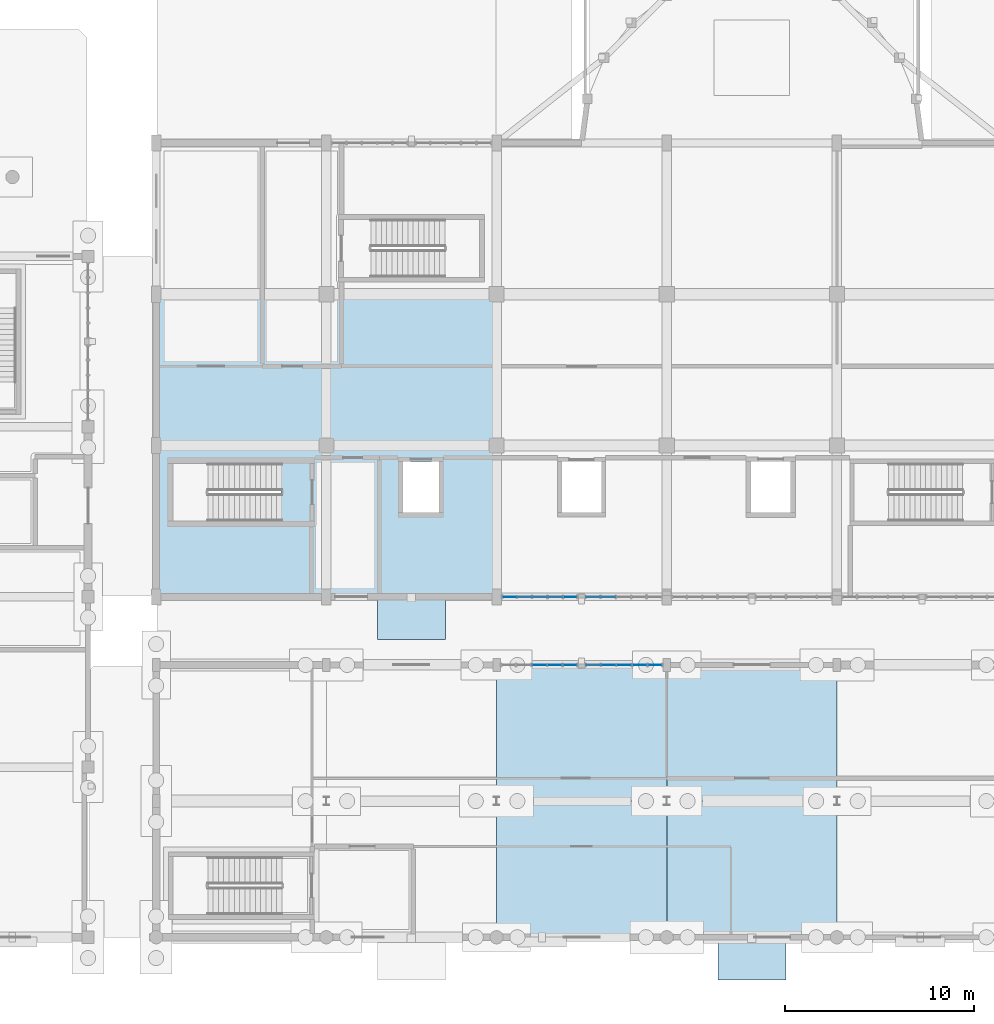
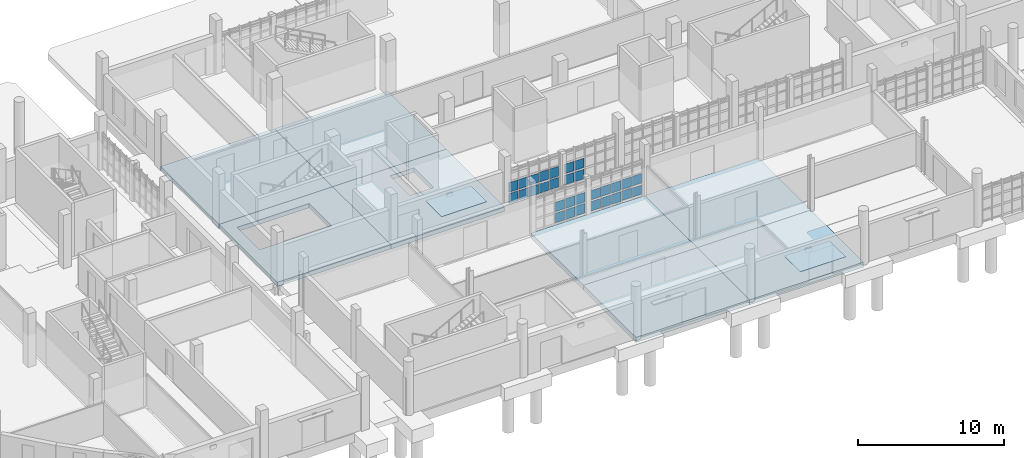
# One storey, part 30 of 63: 32 plates, 8 slabs, 4 elements without a shape of their own.
"""IFC4 building model written with IfcOpenShell, lengths in metres."""

from ifc_helpers import new_model, si_unit, direction, frame, origin, origin_2d, place, context, subcontext, project, spatial, polyline, rectangle, outline, extrude, material, layer, layer_set, type_object, element, aggregate, save


model = new_model("IFC4")

# Units and contexts
model_context = context("Model", 3, precision=1e-05, world=origin(), true_north=direction((0.0, 1.0)))
body_context = subcontext(model_context, "Body", "Model", "MODEL_VIEW")
ifc_project = project(units=[si_unit("LENGTHUNIT", "METRE"), si_unit("AREAUNIT", "SQUARE_METRE"), si_unit("VOLUMEUNIT", "CUBIC_METRE"), si_unit("PLANEANGLEUNIT", "RADIAN"), si_unit("MASSUNIT", "GRAM", prefix="KILO")], contexts=[model_context])

# Site, building, storey
site_placement = place(None, origin())
site = spatial("IfcSite", under=ifc_project, at=site_placement, CompositionType="ELEMENT")
building_placement = place(site_placement, origin())
building = spatial("IfcBuilding", under=site, at=building_placement, Name="Serraforn Aerial Cableway Station", CompositionType="ELEMENT")
storey_placement = place(building_placement, origin())
storey = spatial("IfcBuildingStorey", under=building, at=storey_placement, Name="L00", CompositionType="ELEMENT", Elevation=0.0)

# Plates
ifc_material_1 = material(Name="Patinated bronze entrance canopy soffit")
ifc_layer_1 = layer(ifc_material_1, 0.035888671875)
ifc_layer_set_1 = layer_set([ifc_layer_1], Name="Patinated bronze entrance canopy soffit")
plate_type_1 = type_object("IfcPlateType", Name="CAN-BRONZE", PredefinedType="USERDEFINED", material=ifc_layer_set_1)
for number, where, z_axis, x_axis, name in (
    (1, (59.10009765625, -1.159912109375, 2.73193359375), (0.0, 0.0, 1.0), (1.0, 0.0, 0.0), "Bronze Art Deco Entrance Canopy 03"),
    (2, (41.10009765625, 16.840087890625, 2.73193359375), (0.0, 0.0, 1.0), (1.0, 0.0, 0.0), "Bronze Art Deco Entrance Canopy 04"),
):
    element("IfcPlate", number, at=place(storey_placement, frame(where, z_axis=z_axis, x_axis=x_axis)), inside=storey, type_object=plate_type_1, Name=name, ObjectType="CANOPY PANEL", PredefinedType="USERDEFINED", context=body_context, shape_type="SweptSolid", body=[
        extrude(rectangle(XDim=3.60009765625, YDim=2.199951171875, at=origin_2d()), origin(), (0.0, 0.0, 1.0), 0.035888671875),
    ])

# Curtain wall, plates
ifc_material_2 = material(Name="Anodised bronze unitised curtain wall")
curtain_wall_type_1 = type_object("IfcCurtainWallType", Name="CW-SYS-19", PredefinedType="USERDEFINED", material=ifc_material_2)
curtain_wall_1_placement = place(storey_placement, origin())
curtain_wall_1 = element("IfcCurtainWall", 3, at=curtain_wall_1_placement, inside=storey, type_object=curtain_wall_type_1, Name="Unitised Curtain Wall CW-CF-L00-N3A", ObjectType="UNITISED CURTAIN WALL", PredefinedType="USERDEFINED")
ifc_material_3 = material(Name="Solar-control low-E double glazing", Category="glass")
ifc_layer_2 = layer(ifc_material_3, 0.02587890625)
ifc_layer_set_2 = layer_set([ifc_layer_2], Name="Solar-control low-E double glazing")
plate_type_2 = type_object("IfcPlateType", Name="CW-GLZ-1", PredefinedType="CURTAIN_PANEL", material=ifc_layer_set_2)
plate_1_placement = place(storey_placement, frame((53.974853515625, 14.39990234375, 1.14111328125), z_axis=(0.0, 0.0, 1.0), x_axis=(1.0, 0.0, 0.0)))
plate_1 = element("IfcPlate", 4, at=plate_1_placement, type_object=plate_type_2, Name="Curtain Wall Panel CW-CF-L00-N3A-P1-2", PredefinedType="CURTAIN_PANEL", context=body_context, shape_type="SweptSolid", body=[
    extrude(rectangle(XDim=0.728515625, YDim=0.02587890625, at=origin_2d()), origin(), (0.0, 0.0, 1.0), 0.802490234375),
])
plate_2_placement = place(storey_placement, frame((53.166748046875, 14.39990234375, 0.20556640625), z_axis=(0.0, 0.0, 1.0), x_axis=(1.0, 0.0, 0.0)))
plate_2 = element("IfcPlate", 5, at=plate_2_placement, type_object=plate_type_2, Name="Curtain Wall Panel CW-CF-L00-N3A-P2-1", PredefinedType="CURTAIN_PANEL", context=body_context, shape_type="SweptSolid", body=[
    extrude(rectangle(XDim=0.755859375, YDim=0.02587890625, at=origin_2d()), origin(), (0.0, 0.0, 1.0), 0.802490234375),
])

# Curtain wall, plate
curtain_wall_type_2 = type_object("IfcCurtainWallType", Name="CW-SYS-20", PredefinedType="USERDEFINED", material=ifc_material_2)
curtain_wall_2_placement = place(storey_placement, origin())
curtain_wall_2 = element("IfcCurtainWall", 6, at=curtain_wall_2_placement, inside=storey, type_object=curtain_wall_type_2, Name="Unitised Curtain Wall CW-CF-L00-N3B", ObjectType="UNITISED CURTAIN WALL", PredefinedType="USERDEFINED")
plate_3_placement = place(storey_placement, frame((49.49169921875, 14.39990234375, 0.20556640625), z_axis=(0.0, 0.0, 1.0), x_axis=(1.0, 0.0, 0.0)))
plate_3 = element("IfcPlate", 7, at=plate_3_placement, type_object=plate_type_2, Name="Curtain Wall Panel CW-CF-L00-N3B-P1-1", PredefinedType="CURTAIN_PANEL", context=body_context, shape_type="SweptSolid", body=[
    extrude(rectangle(XDim=0.720947265625, YDim=0.02587890625, at=origin_2d()), origin(), (0.0, 0.0, 1.0), 0.802490234375),
])

curtain_wall_type_3 = type_object("IfcCurtainWallType", Name="CW-SYS-3", PredefinedType="USERDEFINED", material=ifc_material_2)
curtain_wall_3_placement = place(storey_placement, origin())
curtain_wall_3 = element("IfcCurtainWall", 8, at=curtain_wall_3_placement, inside=storey, type_object=curtain_wall_type_3, Name="Unitised Curtain Wall CW-CV-L00-S3A", ObjectType="UNITISED CURTAIN WALL", PredefinedType="USERDEFINED")
plate_4_placement = place(storey_placement, frame((49.492919921875, 18.0, 1.11376953125), z_axis=(0.0, 0.0, 1.0), x_axis=(1.0, 0.0, 0.0)))
plate_4 = element("IfcPlate", 9, at=plate_4_placement, type_object=plate_type_2, Name="Curtain Wall Panel CW-CV-L00-S3A-P5-2", PredefinedType="CURTAIN_PANEL", context=body_context, shape_type="SweptSolid", body=[
    extrude(rectangle(XDim=0.70849609375, YDim=0.02587890625, at=origin_2d()), origin(), (0.0, 0.0, 1.0), 0.824951171875),
])

# Plate
ifc_layer_3 = layer(ifc_material_3, 0.028076171875)
ifc_layer_set_3 = layer_set([ifc_layer_3], Name="Solar-control low-E double glazing")
plate_type_3 = type_object("IfcPlateType", Name="CW-GLZ-2", PredefinedType="CURTAIN_PANEL", material=ifc_layer_set_3)
plate_5_placement = place(storey_placement, frame((53.166748046875, 14.39990234375, 1.11376953125), z_axis=(0.0, 0.0, 1.0), x_axis=(1.0, 0.0, 0.0)))
plate_5 = element("IfcPlate", 10, at=plate_5_placement, type_object=plate_type_3, Name="Curtain Wall Panel CW-CF-L00-N3A-P2-2", PredefinedType="CURTAIN_PANEL", context=body_context, shape_type="SweptSolid", body=[
    extrude(rectangle(XDim=0.755859375, YDim=0.028076171875, at=origin_2d()), origin(), (0.0, 0.0, 1.0), 0.824951171875),
])

plate_6_placement = place(storey_placement, frame((52.3359375, 14.39990234375, 0.177734375), z_axis=(0.0, 0.0, 1.0), x_axis=(1.0, 0.0, 0.0)))
plate_6 = element("IfcPlate", 11, at=plate_6_placement, type_object=plate_type_3, Name="Curtain Wall Panel CW-CF-L00-N3A-P3-1", PredefinedType="CURTAIN_PANEL", context=body_context, shape_type="SweptSolid", body=[
    extrude(rectangle(XDim=0.763427734375, YDim=0.028076171875, at=origin_2d()), origin(), (0.0, 0.0, 1.0), 0.824951171875),
])

plate_7_placement = place(storey_placement, frame((49.49169921875, 14.39990234375, 1.11376953125), z_axis=(0.0, 0.0, 1.0), x_axis=(1.0, 0.0, 0.0)))
plate_7 = element("IfcPlate", 12, at=plate_7_placement, type_object=plate_type_3, Name="Curtain Wall Panel CW-CF-L00-N3B-P1-2", PredefinedType="CURTAIN_PANEL", context=body_context, shape_type="SweptSolid", body=[
    extrude(rectangle(XDim=0.720947265625, YDim=0.028076171875, at=origin_2d()), origin(), (0.0, 0.0, 1.0), 0.824951171875),
])

plate_8_placement = place(storey_placement, frame((48.678466796875, 14.39990234375, 0.177734375), z_axis=(0.0, 0.0, 1.0), x_axis=(1.0, 0.0, 0.0)))
plate_8 = element("IfcPlate", 13, at=plate_8_placement, type_object=plate_type_3, Name="Curtain Wall Panel CW-CF-L00-N3B-P2-1", PredefinedType="CURTAIN_PANEL", context=body_context, shape_type="SweptSolid", body=[
    extrude(rectangle(XDim=0.763427734375, YDim=0.028076171875, at=origin_2d()), origin(), (0.0, 0.0, 1.0), 0.824951171875),
])

ifc_layer_4 = layer(ifc_material_3, 0.030029296875)
ifc_layer_set_4 = layer_set([ifc_layer_4], Name="Solar-control low-E double glazing")
plate_type_4 = type_object("IfcPlateType", Name="CW-GLZ-3", PredefinedType="CURTAIN_PANEL", material=ifc_layer_set_4)
plate_9_placement = place(storey_placement, frame((52.3359375, 14.39990234375, 1.118896484375), z_axis=(0.0, 0.0, 1.0), x_axis=(1.0, 0.0, 0.0)))
plate_9 = element("IfcPlate", 14, at=plate_9_placement, type_object=plate_type_4, Name="Curtain Wall Panel CW-CF-L00-N3A-P3-2", PredefinedType="CURTAIN_PANEL", context=body_context, shape_type="SweptSolid", body=[
    extrude(rectangle(XDim=0.763427734375, YDim=0.030029296875, at=origin_2d()), origin(), (0.0, 0.0, 1.0), 0.8125),
])

plate_10_placement = place(storey_placement, frame((51.517822265625, 14.39990234375, 0.182861328125), z_axis=(0.0, 0.0, 1.0), x_axis=(1.0, 0.0, 0.0)))
plate_10 = element("IfcPlate", 15, at=plate_10_placement, type_object=plate_type_4, Name="Curtain Wall Panel CW-CF-L00-N3A-P4-1", PredefinedType="CURTAIN_PANEL", context=body_context, shape_type="SweptSolid", body=[
    extrude(rectangle(XDim=0.77099609375, YDim=0.030029296875, at=origin_2d()), origin(), (0.0, 0.0, 1.0), 0.8125),
])

plate_11_placement = place(storey_placement, frame((48.678466796875, 14.39990234375, 1.118896484375), z_axis=(0.0, 0.0, 1.0), x_axis=(1.0, 0.0, 0.0)))
plate_11 = element("IfcPlate", 16, at=plate_11_placement, type_object=plate_type_4, Name="Curtain Wall Panel CW-CF-L00-N3B-P2-2", PredefinedType="CURTAIN_PANEL", context=body_context, shape_type="SweptSolid", body=[
    extrude(rectangle(XDim=0.763427734375, YDim=0.030029296875, at=origin_2d()), origin(), (0.0, 0.0, 1.0), 0.8125),
])

plate_12_placement = place(storey_placement, frame((47.8603515625, 14.39990234375, 0.182861328125), z_axis=(0.0, 0.0, 1.0), x_axis=(1.0, 0.0, 0.0)))
plate_12 = element("IfcPlate", 17, at=plate_12_placement, type_object=plate_type_4, Name="Curtain Wall Panel CW-CF-L00-N3B-P3-1", PredefinedType="CURTAIN_PANEL", context=body_context, shape_type="SweptSolid", body=[
    extrude(rectangle(XDim=0.77099609375, YDim=0.030029296875, at=origin_2d()), origin(), (0.0, 0.0, 1.0), 0.8125),
])

ifc_layer_5 = layer(ifc_material_3, 0.031982421875)
ifc_layer_set_5 = layer_set([ifc_layer_5], Name="Solar-control low-E double glazing")
plate_type_5 = type_object("IfcPlateType", Name="CW-GLZ-4", PredefinedType="CURTAIN_PANEL", material=ifc_layer_set_5)
plate_13_placement = place(storey_placement, frame((51.517822265625, 14.39990234375, 1.1259765625), z_axis=(0.0, 0.0, 1.0), x_axis=(1.0, 0.0, 0.0)))
plate_13 = element("IfcPlate", 18, at=plate_13_placement, type_object=plate_type_5, Name="Curtain Wall Panel CW-CF-L00-N3A-P4-2", PredefinedType="CURTAIN_PANEL", context=body_context, shape_type="SweptSolid", body=[
    extrude(rectangle(XDim=0.77099609375, YDim=0.031982421875, at=origin_2d()), origin(), (0.0, 0.0, 1.0), 0.797607421875),
])

plate_14_placement = place(storey_placement, frame((50.709716796875, 14.39990234375, 0.1904296875), z_axis=(0.0, 0.0, 1.0), x_axis=(1.0, 0.0, 0.0)))
plate_14 = element("IfcPlate", 19, at=plate_14_placement, type_object=plate_type_5, Name="Curtain Wall Panel CW-CF-L00-N3A-P5-1", PredefinedType="CURTAIN_PANEL", context=body_context, shape_type="SweptSolid", body=[
    extrude(rectangle(XDim=0.7333984375, YDim=0.031982421875, at=origin_2d()), origin(), (0.0, 0.0, 1.0), 0.797607421875),
])

plate_15_placement = place(storey_placement, frame((47.8603515625, 14.39990234375, 1.1259765625), z_axis=(0.0, 0.0, 1.0), x_axis=(1.0, 0.0, 0.0)))
plate_15 = element("IfcPlate", 20, at=plate_15_placement, type_object=plate_type_5, Name="Curtain Wall Panel CW-CF-L00-N3B-P3-2", PredefinedType="CURTAIN_PANEL", context=body_context, shape_type="SweptSolid", body=[
    extrude(rectangle(XDim=0.77099609375, YDim=0.031982421875, at=origin_2d()), origin(), (0.0, 0.0, 1.0), 0.797607421875),
])

aggregate(curtain_wall_2, [plate_3, plate_7, plate_8, plate_11, plate_12, plate_15])

plate_16_placement = place(storey_placement, frame((46.279052734375, 18.0, 0.177734375), z_axis=(0.0, 0.0, 1.0), x_axis=(1.0, 0.0, 0.0)))
plate_16 = element("IfcPlate", 21, at=plate_16_placement, type_object=plate_type_5, Name="Curtain Wall Panel CW-CV-L00-S3A-P1-1", PredefinedType="CURTAIN_PANEL", context=body_context, shape_type="SweptSolid", body=[
    extrude(rectangle(XDim=0.7158203125, YDim=0.031982421875, at=origin_2d()), origin(), (0.0, 0.0, 1.0), 0.824951171875),
])

ifc_layer_6 = layer(ifc_material_3, 0.033935546875)
ifc_layer_set_6 = layer_set([ifc_layer_6], Name="Solar-control low-E double glazing")
plate_type_6 = type_object("IfcPlateType", Name="CW-GLZ-5", PredefinedType="CURTAIN_PANEL", material=ifc_layer_set_6)
plate_17_placement = place(storey_placement, frame((50.709716796875, 14.39990234375, 1.1337890625), z_axis=(0.0, 0.0, 1.0), x_axis=(1.0, 0.0, 0.0)))
plate_17 = element("IfcPlate", 22, at=plate_17_placement, type_object=plate_type_6, Name="Curtain Wall Panel CW-CF-L00-N3A-P5-2", PredefinedType="CURTAIN_PANEL", context=body_context, shape_type="SweptSolid", body=[
    extrude(rectangle(XDim=0.7333984375, YDim=0.033935546875, at=origin_2d()), origin(), (0.0, 0.0, 1.0), 0.782470703125),
])

plate_18_placement = place(storey_placement, frame((46.279052734375, 18.0, 1.118896484375), z_axis=(0.0, 0.0, 1.0), x_axis=(1.0, 0.0, 0.0)))
plate_18 = element("IfcPlate", 23, at=plate_18_placement, type_object=plate_type_6, Name="Curtain Wall Panel CW-CV-L00-S3A-P1-2", PredefinedType="CURTAIN_PANEL", context=body_context, shape_type="SweptSolid", body=[
    extrude(rectangle(XDim=0.7158203125, YDim=0.033935546875, at=origin_2d()), origin(), (0.0, 0.0, 1.0), 0.8125),
])

plate_19_placement = place(storey_placement, frame((47.068359375, 18.0, 0.182861328125), z_axis=(0.0, 0.0, 1.0), x_axis=(1.0, 0.0, 0.0)))
plate_19 = element("IfcPlate", 24, at=plate_19_placement, type_object=plate_type_6, Name="Curtain Wall Panel CW-CV-L00-S3A-P2-1", PredefinedType="CURTAIN_PANEL", context=body_context, shape_type="SweptSolid", body=[
    extrude(rectangle(XDim=0.760986328125, YDim=0.033935546875, at=origin_2d()), origin(), (0.0, 0.0, 1.0), 0.8125),
])

# Curtain wall, plate
curtain_wall_type_4 = type_object("IfcCurtainWallType", Name="CW-SYS-4", PredefinedType="USERDEFINED", material=ifc_material_2)
curtain_wall_4_placement = place(storey_placement, origin())
curtain_wall_4 = element("IfcCurtainWall", 25, at=curtain_wall_4_placement, inside=storey, type_object=curtain_wall_type_4, Name="Unitised Curtain Wall CW-CV-L00-S3B", ObjectType="UNITISED CURTAIN WALL", PredefinedType="USERDEFINED")
plate_20_placement = place(storey_placement, frame((50.69970703125, 18.0, 0.182861328125), z_axis=(0.0, 0.0, 1.0), x_axis=(1.0, 0.0, 0.0)))
plate_20 = element("IfcPlate", 26, at=plate_20_placement, type_object=plate_type_6, Name="Curtain Wall Panel CW-CV-L00-S3B-P1-1", PredefinedType="CURTAIN_PANEL", context=body_context, shape_type="SweptSolid", body=[
    extrude(rectangle(XDim=0.7333984375, YDim=0.033935546875, at=origin_2d()), origin(), (0.0, 0.0, 1.0), 0.8125),
])

# Plate
ifc_layer_7 = layer(ifc_material_3, 0.035888671875)
ifc_layer_set_7 = layer_set([ifc_layer_7], Name="Solar-control low-E double glazing")
plate_type_7 = type_object("IfcPlateType", Name="CW-GLZ-6", PredefinedType="CURTAIN_PANEL", material=ifc_layer_set_7)
plate_21_placement = place(storey_placement, frame((47.068359375, 18.0, 1.1259765625), z_axis=(0.0, 0.0, 1.0), x_axis=(1.0, 0.0, 0.0)))
plate_21 = element("IfcPlate", 27, at=plate_21_placement, type_object=plate_type_7, Name="Curtain Wall Panel CW-CV-L00-S3A-P2-2", PredefinedType="CURTAIN_PANEL", context=body_context, shape_type="SweptSolid", body=[
    extrude(rectangle(XDim=0.760986328125, YDim=0.035888671875, at=origin_2d()), origin(), (0.0, 0.0, 1.0), 0.797607421875),
])

plate_22_placement = place(storey_placement, frame((47.8828125, 18.0, 0.1904296875), z_axis=(0.0, 0.0, 1.0), x_axis=(1.0, 0.0, 0.0)))
plate_22 = element("IfcPlate", 28, at=plate_22_placement, type_object=plate_type_7, Name="Curtain Wall Panel CW-CV-L00-S3A-P3-1", PredefinedType="CURTAIN_PANEL", context=body_context, shape_type="SweptSolid", body=[
    extrude(rectangle(XDim=0.755859375, YDim=0.035888671875, at=origin_2d()), origin(), (0.0, 0.0, 1.0), 0.797607421875),
])

plate_23_placement = place(storey_placement, frame((50.69970703125, 18.0, 1.1259765625), z_axis=(0.0, 0.0, 1.0), x_axis=(1.0, 0.0, 0.0)))
plate_23 = element("IfcPlate", 29, at=plate_23_placement, type_object=plate_type_7, Name="Curtain Wall Panel CW-CV-L00-S3B-P1-2", PredefinedType="CURTAIN_PANEL", context=body_context, shape_type="SweptSolid", body=[
    extrude(rectangle(XDim=0.7333984375, YDim=0.035888671875, at=origin_2d()), origin(), (0.0, 0.0, 1.0), 0.797607421875),
])

plate_24_placement = place(storey_placement, frame((51.500244140625, 18.0, 0.1904296875), z_axis=(0.0, 0.0, 1.0), x_axis=(1.0, 0.0, 0.0)))
plate_24 = element("IfcPlate", 30, at=plate_24_placement, type_object=plate_type_7, Name="Curtain Wall Panel CW-CV-L00-S3B-P2-1", PredefinedType="CURTAIN_PANEL", context=body_context, shape_type="SweptSolid", body=[
    extrude(rectangle(XDim=0.755859375, YDim=0.035888671875, at=origin_2d()), origin(), (0.0, 0.0, 1.0), 0.797607421875),
])

ifc_layer_8 = layer(ifc_material_3, 0.029052734375)
ifc_layer_set_8 = layer_set([ifc_layer_8], Name="Solar-control low-E double glazing")
plate_type_8 = type_object("IfcPlateType", Name="CW-GLZ-7", PredefinedType="CURTAIN_PANEL", material=ifc_layer_set_8)
plate_25_placement = place(storey_placement, frame((47.8828125, 18.0, 1.1337890625), z_axis=(0.0, 0.0, 1.0), x_axis=(1.0, 0.0, 0.0)))
plate_25 = element("IfcPlate", 31, at=plate_25_placement, type_object=plate_type_8, Name="Curtain Wall Panel CW-CV-L00-S3A-P3-2", PredefinedType="CURTAIN_PANEL", context=body_context, shape_type="SweptSolid", body=[
    extrude(rectangle(XDim=0.755859375, YDim=0.029052734375, at=origin_2d()), origin(), (0.0, 0.0, 1.0), 0.782470703125),
])

plate_26_placement = place(storey_placement, frame((48.697265625, 18.0, 0.19775390625), z_axis=(0.0, 0.0, 1.0), x_axis=(1.0, 0.0, 0.0)))
plate_26 = element("IfcPlate", 32, at=plate_26_placement, type_object=plate_type_8, Name="Curtain Wall Panel CW-CV-L00-S3A-P4-1", PredefinedType="CURTAIN_PANEL", context=body_context, shape_type="SweptSolid", body=[
    extrude(rectangle(XDim=0.7509765625, YDim=0.029052734375, at=origin_2d()), origin(), (0.0, 0.0, 1.0), 0.782470703125),
])

plate_27_placement = place(storey_placement, frame((51.500244140625, 18.0, 1.1337890625), z_axis=(0.0, 0.0, 1.0), x_axis=(1.0, 0.0, 0.0)))
plate_27 = element("IfcPlate", 33, at=plate_27_placement, type_object=plate_type_8, Name="Curtain Wall Panel CW-CV-L00-S3B-P2-2", PredefinedType="CURTAIN_PANEL", context=body_context, shape_type="SweptSolid", body=[
    extrude(rectangle(XDim=0.755859375, YDim=0.029052734375, at=origin_2d()), origin(), (0.0, 0.0, 1.0), 0.782470703125),
])

aggregate(curtain_wall_4, [plate_20, plate_23, plate_24, plate_27])

ifc_layer_9 = layer(ifc_material_3, 0.031005859375)
ifc_layer_set_9 = layer_set([ifc_layer_9], Name="Solar-control low-E double glazing")
plate_type_9 = type_object("IfcPlateType", Name="CW-GLZ-8", PredefinedType="CURTAIN_PANEL", material=ifc_layer_set_9)
plate_28_placement = place(storey_placement, frame((53.974853515625, 14.39990234375, 0.19775390625), z_axis=(0.0, 0.0, 1.0), x_axis=(1.0, 0.0, 0.0)))
plate_28 = element("IfcPlate", 34, at=plate_28_placement, type_object=plate_type_9, Name="Curtain Wall Panel CW-CF-L00-N3A-P1-1", PredefinedType="CURTAIN_PANEL", context=body_context, shape_type="SweptSolid", body=[
    extrude(rectangle(XDim=0.728515625, YDim=0.031005859375, at=origin_2d()), origin(), (0.0, 0.0, 1.0), 0.782470703125),
])

aggregate(curtain_wall_1, [plate_28, plate_1, plate_2, plate_5, plate_6, plate_9, plate_10, plate_13, plate_14, plate_17])

plate_29_placement = place(storey_placement, frame((48.697265625, 18.0, 1.14111328125), z_axis=(0.0, 0.0, 1.0), x_axis=(1.0, 0.0, 0.0)))
plate_29 = element("IfcPlate", 35, at=plate_29_placement, type_object=plate_type_9, Name="Curtain Wall Panel CW-CV-L00-S3A-P4-2", PredefinedType="CURTAIN_PANEL", context=body_context, shape_type="SweptSolid", body=[
    extrude(rectangle(XDim=0.7509765625, YDim=0.031005859375, at=origin_2d()), origin(), (0.0, 0.0, 1.0), 0.802490234375),
])

plate_30_placement = place(storey_placement, frame((49.492919921875, 18.0, 0.20556640625), z_axis=(0.0, 0.0, 1.0), x_axis=(1.0, 0.0, 0.0)))
plate_30 = element("IfcPlate", 36, at=plate_30_placement, type_object=plate_type_9, Name="Curtain Wall Panel CW-CV-L00-S3A-P5-1", PredefinedType="CURTAIN_PANEL", context=body_context, shape_type="SweptSolid", body=[
    extrude(rectangle(XDim=0.70849609375, YDim=0.031005859375, at=origin_2d()), origin(), (0.0, 0.0, 1.0), 0.802490234375),
])

aggregate(curtain_wall_3, [plate_16, plate_18, plate_19, plate_21, plate_22, plate_25, plate_26, plate_29, plate_30, plate_4])

# Slabs
ifc_material_4 = material(Name="Concrete C35/45", Category="concrete")
ifc_layer_10 = layer(ifc_material_4, 0.419921875)
ifc_layer_set_10 = layer_set([ifc_layer_10], Name="Concrete C35/45")
slab_type_1 = type_object("IfcSlabType", Name="SLB-BASE-420", PredefinedType="BASESLAB", material=ifc_layer_set_10)
slab_1_placement = place(storey_placement, frame((0.0, 0.0, -0.419921875)))
element("IfcSlab", 37, at=slab_1_placement, inside=storey, type_object=slab_type_1, Name="Floor Slab CF-L00-3-1", PredefinedType="BASESLAB", context=body_context, shape_type="SweptSolid", body=[
    extrude(outline(polyline([(45.60009765625, 0.0), (54.60009765625, 0.0), (54.60009765625, 7.199951171875), (45.60009765625, 7.199951171875), (45.60009765625, 0.0)])), origin(), (0.0, 0.0, 1.0), 0.419921875),
])
slab_2_placement = place(storey_placement, frame((0.0, 0.0, -0.419921875)))
element("IfcSlab", 38, at=slab_2_placement, inside=storey, type_object=slab_type_1, Name="Floor Slab CF-L00-3-2", PredefinedType="BASESLAB", context=body_context, shape_type="SweptSolid", body=[
    extrude(outline(polyline([(45.60009765625, 7.199951171875), (54.60009765625, 7.199951171875), (54.60009765625, 14.39990234375), (45.60009765625, 14.39990234375), (45.60009765625, 7.199951171875)])), origin(), (0.0, 0.0, 1.0), 0.419921875),
])
slab_3_placement = place(storey_placement, frame((0.0, 0.0, -0.419921875)))
element("IfcSlab", 39, at=slab_3_placement, inside=storey, type_object=slab_type_1, Name="Floor Slab CF-L00-4-1", PredefinedType="BASESLAB", context=body_context, shape_type="SweptSolid", body=[
    extrude(outline(polyline([(54.60009765625, 0.0), (63.60009765625, 0.0), (63.60009765625, 7.199951171875), (54.60009765625, 7.199951171875), (54.60009765625, 0.0)])), origin(), (0.0, 0.0, 1.0), 0.419921875),
])
slab_4_placement = place(storey_placement, frame((0.0, 0.0, -0.419921875)))
element("IfcSlab", 40, at=slab_4_placement, inside=storey, type_object=slab_type_1, Name="Floor Slab CF-L00-4-2", PredefinedType="BASESLAB", context=body_context, shape_type="SweptSolid", body=[
    extrude(outline(polyline([(54.60009765625, 7.199951171875), (63.60009765625, 7.199951171875), (63.60009765625, 14.39990234375), (54.60009765625, 14.39990234375), (54.60009765625, 7.199951171875)])), origin(), (0.0, 0.0, 1.0), 0.419921875),
])
ifc_material_5 = material(Name="Concrete C40/50", Category="concrete")
ifc_layer_11 = layer(ifc_material_5, 0.360107421875)
ifc_layer_set_11 = layer_set([ifc_layer_11], Name="Concrete C40/50")
slab_type_2 = type_object("IfcSlabType", Name="SLB-FLR-360", PredefinedType="FLOOR", material=ifc_layer_set_11)
slab_5_placement = place(storey_placement, frame((0.0, 0.0, -0.360107421875)))
element("IfcSlab", 41, at=slab_5_placement, inside=storey, type_object=slab_type_2, Name="Floor Slab CV-L00-1-1", PredefinedType="FLOOR", context=body_context, shape_type="SweptSolid", body=[
    extrude(outline(polyline([(27.60009765625, 18.0), (36.60009765625, 18.0), (36.60009765625, 26.0), (27.60009765625, 26.0), (27.60009765625, 18.0)]), holes=[polyline([(34.199951171875, 25.06005859375), (28.5, 25.06005859375), (28.5, 22.0), (34.199951171875, 22.0), (34.199951171875, 25.06005859375)])]), origin(), (0.0, 0.0, 1.0), 0.360107421875),
])
slab_6_placement = place(storey_placement, frame((0.0, 0.0, -0.360107421875)))
element("IfcSlab", 42, at=slab_6_placement, inside=storey, type_object=slab_type_2, Name="Floor Slab CV-L00-1-2", PredefinedType="FLOOR", context=body_context, shape_type="SweptSolid", body=[
    extrude(outline(polyline([(27.60009765625, 26.0), (36.60009765625, 26.0), (36.60009765625, 34.0), (27.60009765625, 34.0), (27.60009765625, 26.0)])), origin(), (0.0, 0.0, 1.0), 0.360107421875),
])
slab_7_placement = place(storey_placement, frame((0.0, 0.0, -0.360107421875)))
element("IfcSlab", 43, at=slab_7_placement, inside=storey, type_object=slab_type_2, Name="Floor Slab CV-L00-2-1", PredefinedType="FLOOR", context=body_context, shape_type="SweptSolid", body=[
    extrude(outline(polyline([(36.60009765625, 18.0), (45.60009765625, 18.0), (45.60009765625, 26.0), (36.60009765625, 26.0), (36.60009765625, 18.0)]), holes=[polyline([(40.64990234375, 22.449951171875), (42.550048828125, 22.449951171875), (42.550048828125, 25.14990234375), (40.64990234375, 25.14990234375), (40.64990234375, 22.449951171875)])]), origin(), (0.0, 0.0, 1.0), 0.360107421875),
])
slab_8_placement = place(storey_placement, frame((0.0, 0.0, -0.360107421875)))
element("IfcSlab", 44, at=slab_8_placement, inside=storey, type_object=slab_type_2, Name="Floor Slab CV-L00-2-2", PredefinedType="FLOOR", context=body_context, shape_type="SweptSolid", body=[
    extrude(outline(polyline([(36.60009765625, 26.0), (45.60009765625, 26.0), (45.60009765625, 34.0), (36.60009765625, 34.0), (36.60009765625, 26.0)])), origin(), (0.0, 0.0, 1.0), 0.360107421875),
])

save(model, "model.ifc")
